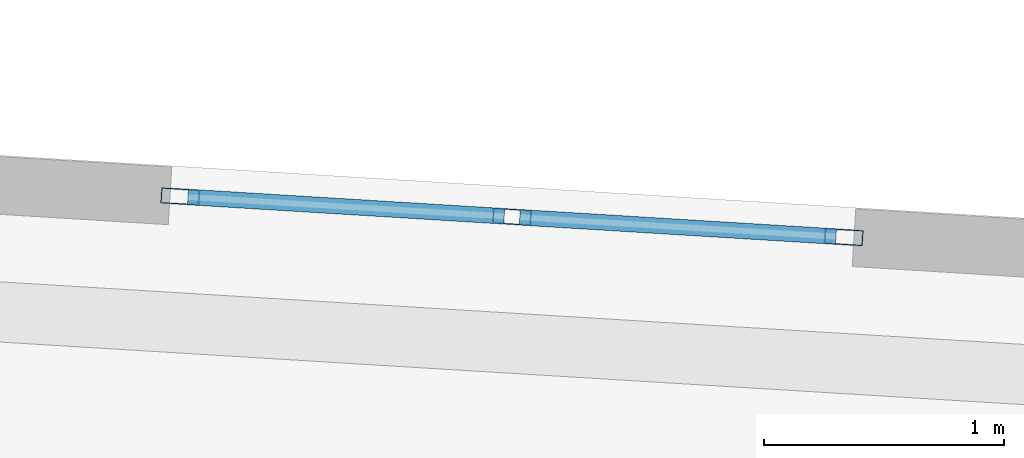
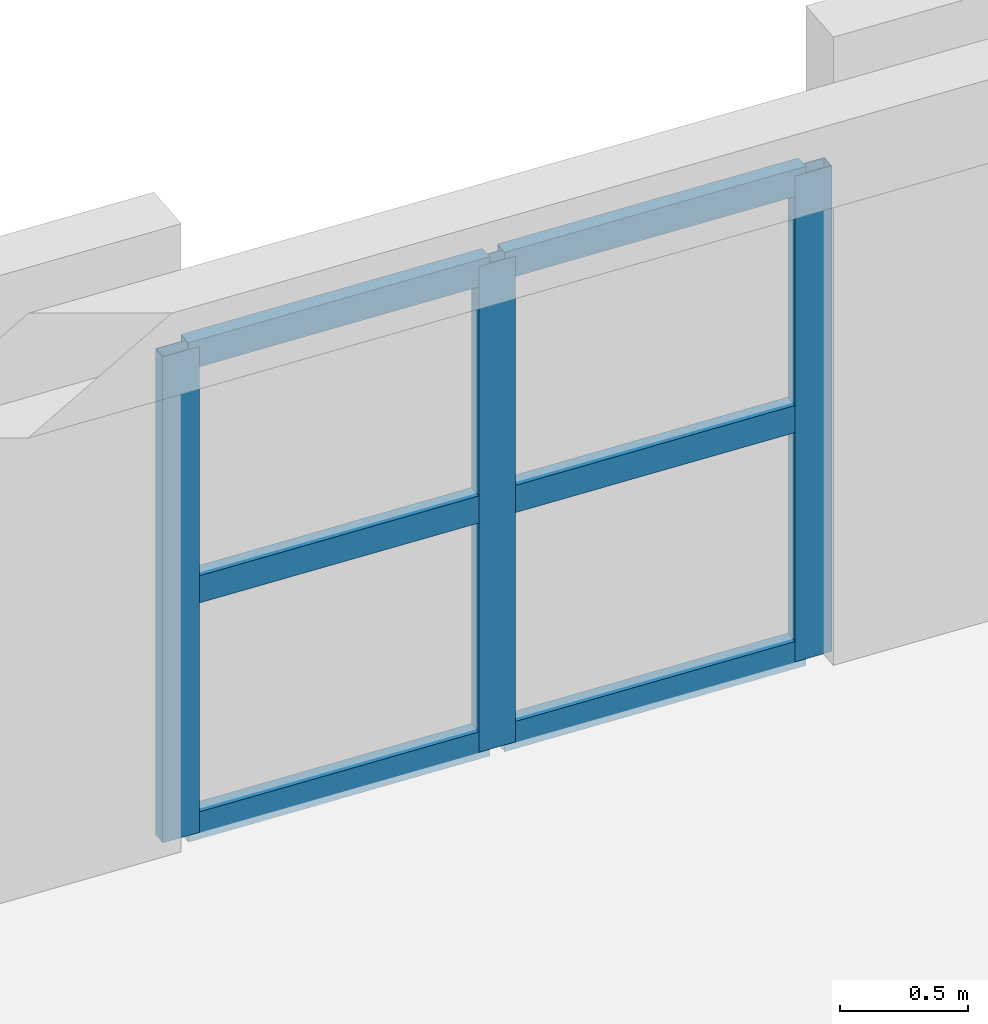
# One storey, part 8 of 68: 9 members, 1 element without a shape of its own.
"""IFC4 building model written with IfcOpenShell, lengths in metres."""

from ifc_helpers import new_model, si_unit, direction, frame, origin, origin_2d, place, context, subcontext, project, spatial, hollow_rectangle, extrude, material, material_profile, profile_set, type_object, element, aggregate, save


model = new_model("IFC4")

# Units and contexts
model_context = context("Model", 3, precision=1e-05, world=origin(), true_north=direction((0.0, 1.0)))
body_context = subcontext(model_context, "Body", "Model", "MODEL_VIEW")
ifc_project = project(units=[si_unit("LENGTHUNIT", "METRE"), si_unit("AREAUNIT", "SQUARE_METRE"), si_unit("VOLUMEUNIT", "CUBIC_METRE"), si_unit("PLANEANGLEUNIT", "RADIAN"), si_unit("MASSUNIT", "GRAM", prefix="KILO")], contexts=[model_context])

# Site, building, storey
site_placement = place(None, origin())
site = spatial("IfcSite", under=ifc_project, at=site_placement, CompositionType="ELEMENT")
building_placement = place(site_placement, origin())
building = spatial("IfcBuilding", under=site, at=building_placement, Name="Kestramere Prow Commons", CompositionType="ELEMENT")
storey_placement = place(building_placement, frame((0.0, 0.0, 18.14990234375)))
storey = spatial("IfcBuildingStorey", under=building, at=storey_placement, Name="L05", CompositionType="ELEMENT", Elevation=18.14990234375)

# Curtain wall, members
ifc_material_1 = material(Name="Anodised Aluminium and Low-E Glass", Category="aluminium")
curtain_wall_type = type_object("IfcCurtainWallType", Name="CW-03 Glazed Curtain Wall 2830x2320", PredefinedType="USERDEFINED", material=ifc_material_1)
curtain_wall_placement = place(storey_placement, origin())
curtain_wall = element("IfcCurtainWall", 1, at=curtain_wall_placement, inside=storey, type_object=curtain_wall_type, Name="Block C L05 Stairwell Vertical Glazing 2", ObjectType="GLAZED CURTAIN WALL", PredefinedType="USERDEFINED")
ifc_material_2 = material(Name="Anodised Aluminium 6063-T6", Category="aluminium")
ifc_material_profile_1 = material_profile(ifc_material_2, hollow_rectangle(XDim=0.06494140625, YDim=0.159912109375, WallThickness=0.00390625, at=origin_2d()), Name="ALU-MUL 65x160")
ifc_profile_set_1 = profile_set([ifc_material_profile_1], Name="Anodised Aluminium 6063-T6")
member_type_1 = type_object("IfcMemberType", Name="CW-MUL-65x160", PredefinedType="MULLION", material=ifc_profile_set_1)
member_1_placement = place(storey_placement, frame((70.7275390625, 65.975830078125, 0.0), z_axis=(0.0, 0.0, 1.0), x_axis=(0.061048420708, 0.99813480569, 0.0)))
member_1 = element("IfcMember", 2, at=member_1_placement, type_object=member_type_1, Name="CW-03 mullion 1", PredefinedType="MULLION", context=body_context, shape_type="SweptSolid", body=[
    extrude(hollow_rectangle(XDim=0.06494140625, YDim=0.159912109375, WallThickness=0.00390625, at=origin_2d()), origin(), (0.0, 0.0, 1.0), 2.320068359375),
])
member_2_placement = place(storey_placement, frame((72.107421875, 65.8916015625, 0.0), z_axis=(0.0, 0.0, 1.0), x_axis=(0.061048420708, 0.99813480569, 0.0)))
member_2 = element("IfcMember", 3, at=member_2_placement, type_object=member_type_1, Name="CW-03 mullion 2", PredefinedType="MULLION", context=body_context, shape_type="SweptSolid", body=[
    extrude(hollow_rectangle(XDim=0.06494140625, YDim=0.159912109375, WallThickness=0.00390625, at=origin_2d()), origin(), (0.0, 0.0, 1.0), 2.320068359375),
])
member_3_placement = place(storey_placement, frame((73.4873046875, 65.80712890625, 0.0), z_axis=(0.0, 0.0, 1.0), x_axis=(0.061048420708, 0.99813480569, 0.0)))
member_3 = element("IfcMember", 4, at=member_3_placement, type_object=member_type_1, Name="CW-03 mullion 3", PredefinedType="MULLION", context=body_context, shape_type="SweptSolid", body=[
    extrude(hollow_rectangle(XDim=0.06494140625, YDim=0.159912109375, WallThickness=0.00390625, at=origin_2d()), origin(), (0.0, 0.0, 1.0), 2.320068359375),
])
ifc_material_profile_2 = material_profile(ifc_material_2, hollow_rectangle(XDim=0.06494140625, YDim=0.1298828125, WallThickness=0.00390625, at=origin_2d()), Name="ALU-TRN 65x130")
ifc_profile_set_2 = profile_set([ifc_material_profile_2], Name="Anodised Aluminium 6063-T6")
member_type_2 = type_object("IfcMemberType", Name="CW-TRN-65x130", PredefinedType="USERDEFINED", material=ifc_profile_set_2)
member_4_placement = place(storey_placement, frame((70.759765625, 65.973876953125, 0.03271484375), z_axis=(0.998140248091, -0.060959372865, 0.0), x_axis=(0.060959372865, 0.998140248091, 0.0)))
member_4 = element("IfcMember", 5, at=member_4_placement, type_object=member_type_2, Name="CW-03 transom 1.1", ObjectType="TRANSOM", PredefinedType="USERDEFINED", context=body_context, shape_type="SweptSolid", body=[
    extrude(hollow_rectangle(XDim=0.06494140625, YDim=0.1298828125, WallThickness=0.00390625, at=origin_2d()), origin(), (0.0, 0.0, 1.0), 1.317626953125),
])
member_5_placement = place(storey_placement, frame((70.759765625, 65.973876953125, 1.16015625), z_axis=(0.998140248091, -0.060959372865, 0.0), x_axis=(0.060959372865, 0.998140248091, 0.0)))
member_5 = element("IfcMember", 6, at=member_5_placement, type_object=member_type_2, Name="CW-03 transom 1.2", ObjectType="TRANSOM", PredefinedType="USERDEFINED", context=body_context, shape_type="SweptSolid", body=[
    extrude(hollow_rectangle(XDim=0.06494140625, YDim=0.1298828125, WallThickness=0.00390625, at=origin_2d()), origin(), (0.0, 0.0, 1.0), 1.317626953125),
])
member_6_placement = place(storey_placement, frame((70.759765625, 65.973876953125, 2.28759765625), z_axis=(0.998140248091, -0.060959372865, 0.0), x_axis=(0.060959372865, 0.998140248091, 0.0)))
member_6 = element("IfcMember", 7, at=member_6_placement, type_object=member_type_2, Name="CW-03 transom 1.3", ObjectType="TRANSOM", PredefinedType="USERDEFINED", context=body_context, shape_type="SweptSolid", body=[
    extrude(hollow_rectangle(XDim=0.06494140625, YDim=0.1298828125, WallThickness=0.00390625, at=origin_2d()), origin(), (0.0, 0.0, 1.0), 1.317626953125),
])
member_7_placement = place(storey_placement, frame((72.139892578125, 65.889404296875, 0.03271484375), z_axis=(0.998139559366, -0.06097064891, 0.0), x_axis=(0.06097064891, 0.998139559366, 0.0)))
member_7 = element("IfcMember", 8, at=member_7_placement, type_object=member_type_2, Name="CW-03 transom 2.1", ObjectType="TRANSOM", PredefinedType="USERDEFINED", context=body_context, shape_type="SweptSolid", body=[
    extrude(hollow_rectangle(XDim=0.06494140625, YDim=0.1298828125, WallThickness=0.00390625, at=origin_2d()), origin(), (0.0, 0.0, 1.0), 1.3173828125),
])
member_8_placement = place(storey_placement, frame((72.139892578125, 65.889404296875, 1.16015625), z_axis=(0.998139559366, -0.06097064891, 0.0), x_axis=(0.06097064891, 0.998139559366, 0.0)))
member_8 = element("IfcMember", 9, at=member_8_placement, type_object=member_type_2, Name="CW-03 transom 2.2", ObjectType="TRANSOM", PredefinedType="USERDEFINED", context=body_context, shape_type="SweptSolid", body=[
    extrude(hollow_rectangle(XDim=0.06494140625, YDim=0.1298828125, WallThickness=0.00390625, at=origin_2d()), origin(), (0.0, 0.0, 1.0), 1.3173828125),
])
member_9_placement = place(storey_placement, frame((72.139892578125, 65.889404296875, 2.28759765625), z_axis=(0.998139559366, -0.06097064891, 0.0), x_axis=(0.06097064891, 0.998139559366, 0.0)))
member_9 = element("IfcMember", 10, at=member_9_placement, type_object=member_type_2, Name="CW-03 transom 2.3", ObjectType="TRANSOM", PredefinedType="USERDEFINED", context=body_context, shape_type="SweptSolid", body=[
    extrude(hollow_rectangle(XDim=0.06494140625, YDim=0.1298828125, WallThickness=0.00390625, at=origin_2d()), origin(), (0.0, 0.0, 1.0), 1.3173828125),
])
aggregate(curtain_wall, [member_1, member_2, member_3, member_4, member_5, member_6, member_7, member_8, member_9])

save(model, "model.ifc")
